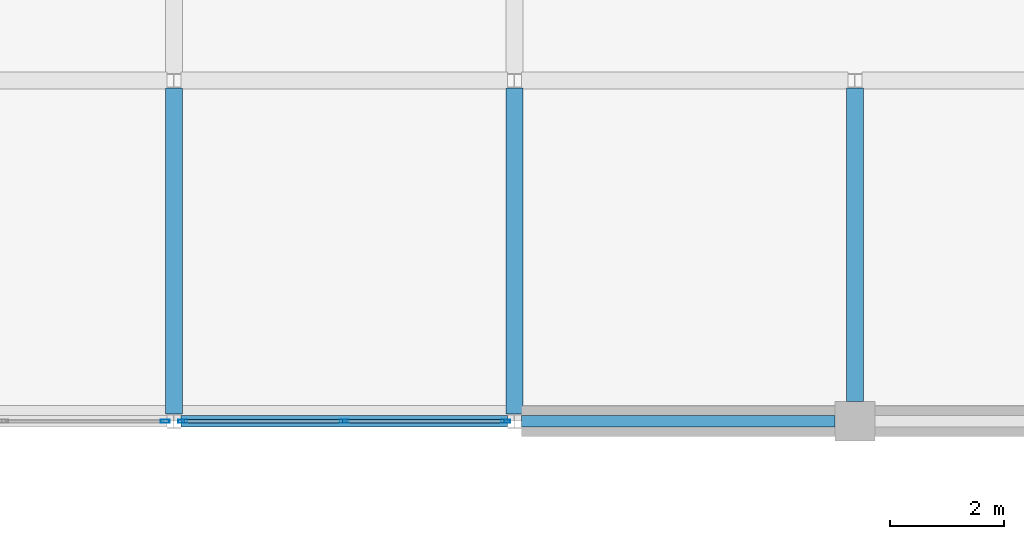
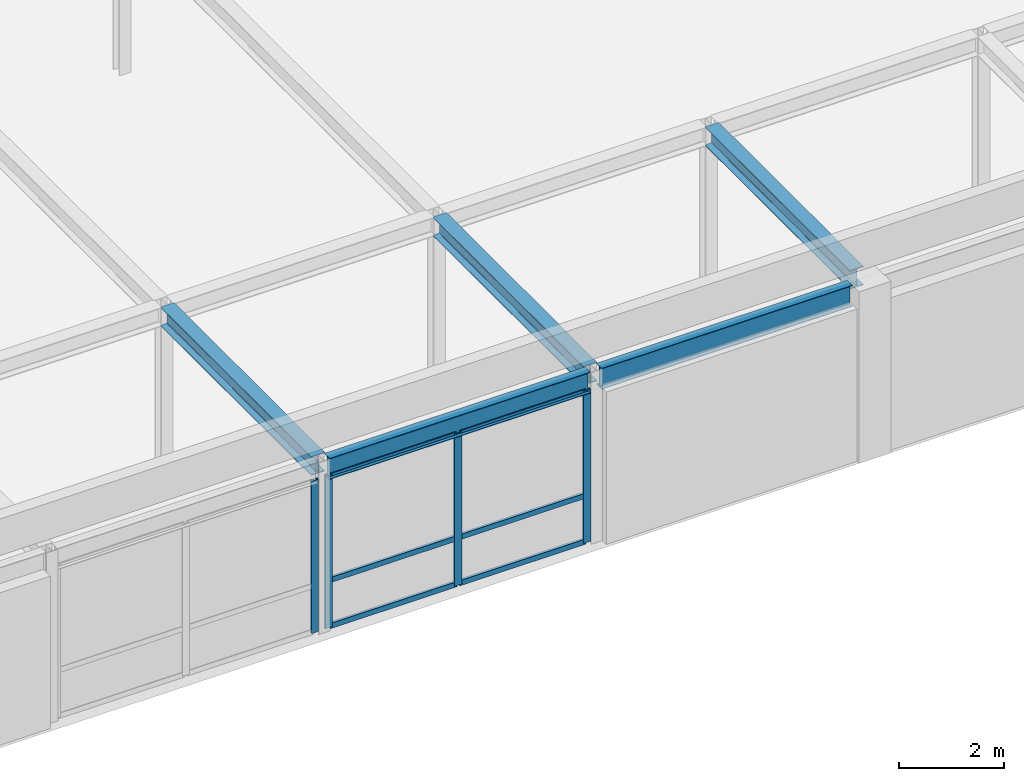
# One storey, part 55 of 111: 10 members, 5 beams, 2 elements without a shape of their own.
"""IFC4 building model written with IfcOpenShell, lengths in metres."""

from ifc_helpers import new_model, si_unit, direction, frame, origin, origin_2d, place, context, subcontext, project, spatial, hollow_rectangle, i_section, extrude, material, layer, layer_set, material_profile, profile_set, type_object, element, aggregate, save


model = new_model("IFC4")

# Units and contexts
model_context = context("Model", 3, precision=1e-05, world=origin(), true_north=direction((0.0, 1.0)))
body_context = subcontext(model_context, "Body", "Model", "MODEL_VIEW")
ifc_project = project(units=[si_unit("LENGTHUNIT", "METRE"), si_unit("AREAUNIT", "SQUARE_METRE"), si_unit("VOLUMEUNIT", "CUBIC_METRE"), si_unit("PLANEANGLEUNIT", "RADIAN"), si_unit("MASSUNIT", "GRAM", prefix="KILO")], contexts=[model_context])

# Site, building, storey
site_placement = place(None, origin())
site = spatial("IfcSite", under=ifc_project, at=site_placement, CompositionType="ELEMENT")
building_placement = place(site_placement, origin())
building = spatial("IfcBuilding", under=site, at=building_placement, Name="Zlatovratsky Civic Hall", CompositionType="ELEMENT")
storey_placement = place(building_placement, frame((0.0, 0.0, 16.5)))
storey = spatial("IfcBuildingStorey", under=building, at=storey_placement, Name="L04", CompositionType="ELEMENT", Elevation=16.5)

# Beams
ifc_material_1 = material(Name="Steel S355", Category="steel")
ifc_material_profile_1 = material_profile(ifc_material_1, i_section(OverallWidth=0.198974609375, OverallDepth=0.491943359375, WebThickness=0.0087890625, FlangeThickness=0.011962890625, FilletRadius=0.01611328125, at=origin_2d()), Name="50B1")
ifc_profile_set_1 = profile_set([ifc_material_profile_1], Name="Steel S355")
beam_type_1 = type_object("IfcBeamType", Name="Beam_Spandrel_50B1", PredefinedType="SPANDREL", material=ifc_profile_set_1)
beam_1_placement = place(storey_placement, frame((66.125, 12.0, 3.75390625), z_axis=(1.0, 0.0, 0.0), x_axis=(0.0, 1.0, 0.0)))
element("IfcBeam", 1, at=beam_1_placement, inside=storey, type_object=beam_type_1, Name="BM-3220", PredefinedType="SPANDREL", context=body_context, shape_type="SweptSolid", body=[
    extrude(i_section(OverallWidth=0.198974609375, OverallDepth=0.491943359375, WebThickness=0.0087890625, FlangeThickness=0.011962890625, FilletRadius=0.01611328125, at=origin_2d()), origin(), (0.0, 0.0, 1.0), 5.75),
])
beam_2_placement = place(storey_placement, frame((72.125, 12.0, 3.75390625), z_axis=(1.0, 0.0, 0.0), x_axis=(0.0, 1.0, 0.0)))
element("IfcBeam", 2, at=beam_2_placement, inside=storey, type_object=beam_type_1, Name="BM-3221", PredefinedType="SPANDREL", context=body_context, shape_type="SweptSolid", body=[
    extrude(i_section(OverallWidth=0.198974609375, OverallDepth=0.491943359375, WebThickness=0.0087890625, FlangeThickness=0.011962890625, FilletRadius=0.01611328125, at=origin_2d()), origin(), (0.0, 0.0, 1.0), 5.52490234375),
])
ifc_material_profile_2 = material_profile(ifc_material_1, i_section(OverallWidth=0.300048828125, OverallDepth=0.43994140625, WebThickness=0.010986328125, FlangeThickness=0.01806640625, FilletRadius=0.02197265625, at=origin_2d()), Name="45Sh1")
ifc_profile_set_2 = profile_set([ifc_material_profile_2], Name="Steel S355")
beam_type_2 = type_object("IfcBeamType", Name="Beam_TowerLow_45Sh1", PredefinedType="BEAM", material=ifc_profile_set_2)
for number, where, z_axis, x_axis, name in (
    (3, (66.0, 12.125, 3.780029296875), (0.0, 1.0, 0.0), (-1.0, 0.0, 0.0), "BM-3635"),
    (4, (72.0, 12.125, 3.780029296875), (0.0, 1.0, 0.0), (-1.0, 0.0, 0.0), "BM-3646"),
):
    element("IfcBeam", number, at=place(storey_placement, frame(where, z_axis=z_axis, x_axis=x_axis)), inside=storey, type_object=beam_type_2, Name=name, PredefinedType="BEAM", context=body_context, shape_type="SweptSolid", body=[
        extrude(i_section(OverallWidth=0.300048828125, OverallDepth=0.43994140625, WebThickness=0.010986328125, FlangeThickness=0.01806640625, FilletRadius=0.02197265625, at=origin_2d()), origin(), (0.0, 0.0, 1.0), 5.75),
    ])
beam_3_placement = place(storey_placement, frame((78.0, 12.35009765625, 3.780029296875), z_axis=(0.0, 1.0, 0.0), x_axis=(-1.0, 0.0, 0.0)))
element("IfcBeam", 5, at=beam_3_placement, inside=storey, type_object=beam_type_2, Name="BM-3657", PredefinedType="BEAM", context=body_context, shape_type="SweptSolid", body=[
    extrude(i_section(OverallWidth=0.300048828125, OverallDepth=0.43994140625, WebThickness=0.010986328125, FlangeThickness=0.01806640625, FilletRadius=0.02197265625, at=origin_2d()), origin(), (0.0, 0.0, 1.0), 5.52490234375),
])

# Curtain wall, member
ifc_material_2 = material(Name="Anodised bronze aluminium", Category="aluminium")
ifc_layer = layer(ifc_material_2, 0.159912109375)
ifc_layer_set = layer_set([ifc_layer], Name="Anodised bronze aluminium")
curtain_wall_type = type_object("IfcCurtainWallType", Name="CurtainWall_Bronze_5750x3550_14", PredefinedType="NOTDEFINED", material=ifc_layer_set)
curtain_wall_1_placement = place(storey_placement, origin())
curtain_wall_1 = element("IfcCurtainWall", 6, at=curtain_wall_1_placement, inside=storey, type_object=curtain_wall_type, Name="CW-089", PredefinedType="NOTDEFINED")
ifc_material_profile_3 = material_profile(ifc_material_2, hollow_rectangle(XDim=0.06005859375, YDim=0.159912109375, WallThickness=0.00390625, at=origin_2d()), Name="ALU 60x160x4")
ifc_profile_set_3 = profile_set([ifc_material_profile_3], Name="Anodised bronze aluminium")
member_type_1 = type_object("IfcMemberType", Name="CW_Mullion_60x160", PredefinedType="MULLION", material=ifc_profile_set_3)
member_1_placement = place(storey_placement, frame((65.844970703125, 12.0, 0.0), z_axis=(0.0, 0.0, 1.0), x_axis=(0.0, 1.0, 0.0)))
member_1 = element("IfcMember", 7, at=member_1_placement, type_object=member_type_1, Name="CW-14 mullion 3", PredefinedType="MULLION", context=body_context, shape_type="SweptSolid", body=[
    extrude(hollow_rectangle(XDim=0.06005859375, YDim=0.159912109375, WallThickness=0.00390625, at=origin_2d()), origin(), (0.0, 0.0, 1.0), 3.550048828125),
])
aggregate(curtain_wall_1, [member_1])

# Curtain wall, members
curtain_wall_2_placement = place(storey_placement, origin())
curtain_wall_2 = element("IfcCurtainWall", 8, at=curtain_wall_2_placement, inside=storey, type_object=curtain_wall_type, Name="CW-090", PredefinedType="NOTDEFINED")
member_2_placement = place(storey_placement, frame((66.155029296875, 12.0, 0.0), z_axis=(0.0, 0.0, 1.0), x_axis=(0.0, 1.0, 0.0)))
member_2 = element("IfcMember", 9, at=member_2_placement, type_object=member_type_1, Name="CW-14 mullion 1", PredefinedType="MULLION", context=body_context, shape_type="SweptSolid", body=[
    extrude(hollow_rectangle(XDim=0.06005859375, YDim=0.159912109375, WallThickness=0.00390625, at=origin_2d()), origin(), (0.0, 0.0, 1.0), 3.550048828125),
])
member_3_placement = place(storey_placement, frame((69.0, 12.0, 0.0), z_axis=(0.0, 0.0, 1.0), x_axis=(0.0, 1.0, 0.0)))
member_3 = element("IfcMember", 10, at=member_3_placement, type_object=member_type_1, Name="CW-14 mullion 2", PredefinedType="MULLION", context=body_context, shape_type="SweptSolid", body=[
    extrude(hollow_rectangle(XDim=0.06005859375, YDim=0.159912109375, WallThickness=0.00390625, at=origin_2d()), origin(), (0.0, 0.0, 1.0), 3.550048828125),
])
member_4_placement = place(storey_placement, frame((71.844970703125, 12.0, 0.0), z_axis=(0.0, 0.0, 1.0), x_axis=(0.0, 1.0, 0.0)))
member_4 = element("IfcMember", 11, at=member_4_placement, type_object=member_type_1, Name="CW-14 mullion 3", PredefinedType="MULLION", context=body_context, shape_type="SweptSolid", body=[
    extrude(hollow_rectangle(XDim=0.06005859375, YDim=0.159912109375, WallThickness=0.00390625, at=origin_2d()), origin(), (0.0, 0.0, 1.0), 3.550048828125),
])
ifc_material_profile_4 = material_profile(ifc_material_2, hollow_rectangle(XDim=0.06005859375, YDim=0.1201171875, WallThickness=0.00390625, at=origin_2d()), Name="ALU 60x120x4")
ifc_profile_set_4 = profile_set([ifc_material_profile_4], Name="Anodised bronze aluminium")
member_type_2 = type_object("IfcMemberType", Name="CW_Transom_60x120", PredefinedType="USERDEFINED", material=ifc_profile_set_4)
member_5_placement = place(storey_placement, frame((66.18505859375, 12.0, 0.030029296875), z_axis=(1.0, 0.0, 0.0), x_axis=(0.0, 1.0, 0.0)))
member_5 = element("IfcMember", 12, at=member_5_placement, type_object=member_type_2, Name="CW-14 transom 1.1", ObjectType="TRANSOM", PredefinedType="USERDEFINED", context=body_context, shape_type="SweptSolid", body=[
    extrude(hollow_rectangle(XDim=0.06005859375, YDim=0.1201171875, WallThickness=0.00390625, at=origin_2d()), origin(), (0.0, 0.0, 1.0), 2.784912109375),
])
member_6_placement = place(storey_placement, frame((66.18505859375, 12.0, 1.10009765625), z_axis=(1.0, 0.0, 0.0), x_axis=(0.0, 1.0, 0.0)))
member_6 = element("IfcMember", 13, at=member_6_placement, type_object=member_type_2, Name="CW-14 transom 1.2", ObjectType="TRANSOM", PredefinedType="USERDEFINED", context=body_context, shape_type="SweptSolid", body=[
    extrude(hollow_rectangle(XDim=0.06005859375, YDim=0.1201171875, WallThickness=0.00390625, at=origin_2d()), origin(), (0.0, 0.0, 1.0), 2.784912109375),
])
member_7_placement = place(storey_placement, frame((66.18505859375, 12.0, 3.52001953125), z_axis=(1.0, 0.0, 0.0), x_axis=(0.0, 1.0, 0.0)))
member_7 = element("IfcMember", 14, at=member_7_placement, type_object=member_type_2, Name="CW-14 transom 1.3", ObjectType="TRANSOM", PredefinedType="USERDEFINED", context=body_context, shape_type="SweptSolid", body=[
    extrude(hollow_rectangle(XDim=0.06005859375, YDim=0.1201171875, WallThickness=0.00390625, at=origin_2d()), origin(), (0.0, 0.0, 1.0), 2.784912109375),
])
member_8_placement = place(storey_placement, frame((69.030029296875, 12.0, 0.030029296875), z_axis=(1.0, 0.0, 0.0), x_axis=(0.0, 1.0, 0.0)))
member_8 = element("IfcMember", 15, at=member_8_placement, type_object=member_type_2, Name="CW-14 transom 2.1", ObjectType="TRANSOM", PredefinedType="USERDEFINED", context=body_context, shape_type="SweptSolid", body=[
    extrude(hollow_rectangle(XDim=0.06005859375, YDim=0.1201171875, WallThickness=0.00390625, at=origin_2d()), origin(), (0.0, 0.0, 1.0), 2.784912109375),
])
member_9_placement = place(storey_placement, frame((69.030029296875, 12.0, 1.10009765625), z_axis=(1.0, 0.0, 0.0), x_axis=(0.0, 1.0, 0.0)))
member_9 = element("IfcMember", 16, at=member_9_placement, type_object=member_type_2, Name="CW-14 transom 2.2", ObjectType="TRANSOM", PredefinedType="USERDEFINED", context=body_context, shape_type="SweptSolid", body=[
    extrude(hollow_rectangle(XDim=0.06005859375, YDim=0.1201171875, WallThickness=0.00390625, at=origin_2d()), origin(), (0.0, 0.0, 1.0), 2.784912109375),
])
member_10_placement = place(storey_placement, frame((69.030029296875, 12.0, 3.52001953125), z_axis=(1.0, 0.0, 0.0), x_axis=(0.0, 1.0, 0.0)))
member_10 = element("IfcMember", 17, at=member_10_placement, type_object=member_type_2, Name="CW-14 transom 2.3", ObjectType="TRANSOM", PredefinedType="USERDEFINED", context=body_context, shape_type="SweptSolid", body=[
    extrude(hollow_rectangle(XDim=0.06005859375, YDim=0.1201171875, WallThickness=0.00390625, at=origin_2d()), origin(), (0.0, 0.0, 1.0), 2.784912109375),
])
aggregate(curtain_wall_2, [member_2, member_3, member_4, member_5, member_6, member_7, member_8, member_9, member_10])

save(model, "model.ifc")
